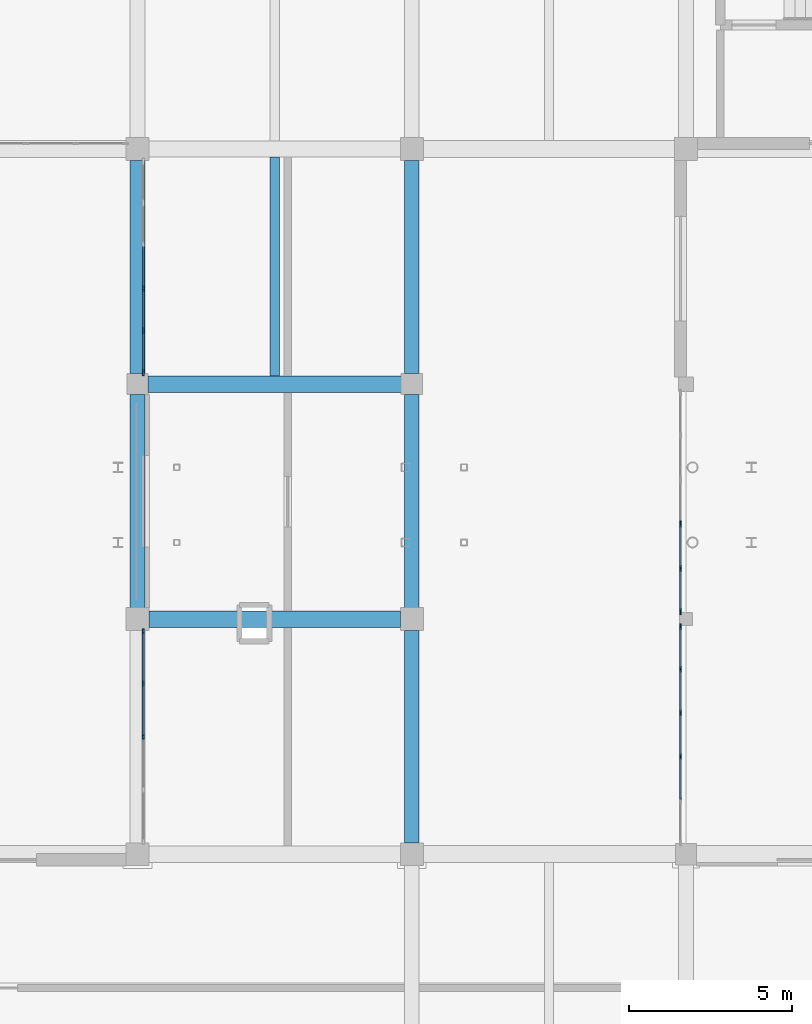
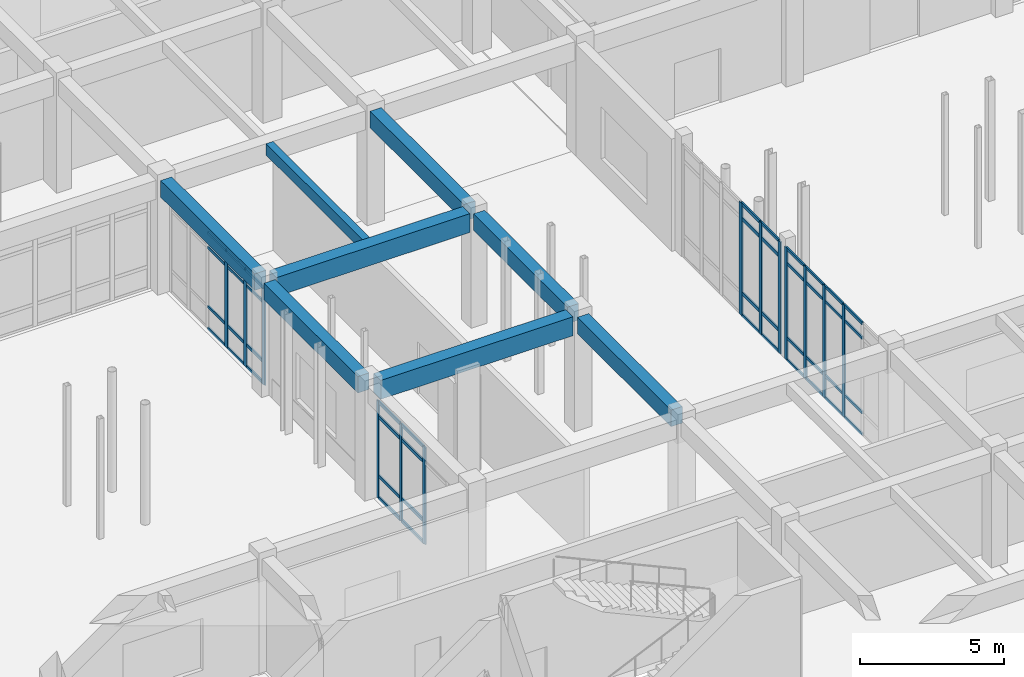
# One storey, part 55 of 121: 57 members, 8 beams, 4 elements without a shape of their own.
"""IFC4 building model written with IfcOpenShell, lengths in metres."""

from ifc_helpers import new_model, si_unit, direction, frame, origin, origin_2d, place, context, subcontext, project, spatial, rectangle, extrude, material, material_profile, profile_set, type_object, element, aggregate, save


model = new_model("IFC4")

# Units and contexts
model_context = context("Model", 3, precision=1e-05, world=origin(), true_north=direction((0.0, 1.0)))
body_context = subcontext(model_context, "Body", "Model", "MODEL_VIEW")
ifc_project = project(units=[si_unit("LENGTHUNIT", "METRE"), si_unit("AREAUNIT", "SQUARE_METRE"), si_unit("VOLUMEUNIT", "CUBIC_METRE"), si_unit("PLANEANGLEUNIT", "RADIAN"), si_unit("MASSUNIT", "GRAM", prefix="KILO")], contexts=[model_context])

# Site, building, storey
site_placement = place(None, origin())
site = spatial("IfcSite", under=ifc_project, at=site_placement, CompositionType="ELEMENT")
building_placement = place(site_placement, origin())
building = spatial("IfcBuilding", under=site, at=building_placement, Name="Malvenik Polytechnic", CompositionType="ELEMENT")
storey_placement = place(building_placement, origin())
storey = spatial("IfcBuildingStorey", under=building, at=storey_placement, Name="L00", CompositionType="ELEMENT", Elevation=0.0)

# Curtain wall, members
ifc_material_1 = material(Name="Anodised aluminium 6060-T6", Category="aluminium")
curtain_wall_type_1 = type_object("IfcCurtainWallType", Name="ARC-CW-CW-04", PredefinedType="NOTDEFINED", material=ifc_material_1)
curtain_wall_1_placement = place(storey_placement, origin())
curtain_wall_1 = element("IfcCurtainWall", 1, at=curtain_wall_1_placement, inside=storey, type_object=curtain_wall_type_1, Name="Unitised Curtain Wall CW-04 L00 #8", PredefinedType="NOTDEFINED")
ifc_material_2 = material(Name="Anodised aluminium", Category="aluminium")
ifc_material_profile_1 = material_profile(ifc_material_2, rectangle(XDim=0.06005859375, YDim=0.159912109375, at=origin_2d()), Name="ALU MULLION 60x160")
ifc_profile_set_1 = profile_set([ifc_material_profile_1], Name="Anodised aluminium")
member_type_1 = type_object("IfcMemberType", Name="ARC-CWM-160", PredefinedType="MULLION", material=ifc_profile_set_1)
member_1_placement = place(storey_placement, frame((75.77001953125, 97.199951171875, 0.0), z_axis=(0.0, 0.0, 1.0), x_axis=(-1.0, 0.0, 0.0)))
member_1 = element("IfcMember", 2, at=member_1_placement, type_object=member_type_1, Name="CW-04 mullion 3", PredefinedType="MULLION", context=body_context, shape_type="SweptSolid", body=[
    extrude(rectangle(XDim=0.06005859375, YDim=0.159912109375, at=origin_2d()), origin(), (0.0, 0.0, 1.0), 4.110107421875),
])
member_2_placement = place(storey_placement, frame((75.77001953125, 98.825927734375, 0.0), z_axis=(0.0, 0.0, 1.0), x_axis=(-1.0, 0.0, 0.0)))
member_2 = element("IfcMember", 3, at=member_2_placement, type_object=member_type_1, Name="CW-04 mullion 4", PredefinedType="MULLION", context=body_context, shape_type="SweptSolid", body=[
    extrude(rectangle(XDim=0.06005859375, YDim=0.159912109375, at=origin_2d()), origin(), (0.0, 0.0, 1.0), 4.110107421875),
])
member_3_placement = place(storey_placement, frame((75.77001953125, 100.422119140625, 0.0), z_axis=(0.0, 0.0, 1.0), x_axis=(-1.0, 0.0, 0.0)))
member_3 = element("IfcMember", 4, at=member_3_placement, type_object=member_type_1, Name="CW-04 mullion 5", PredefinedType="MULLION", context=body_context, shape_type="SweptSolid", body=[
    extrude(rectangle(XDim=0.06005859375, YDim=0.159912109375, at=origin_2d()), origin(), (0.0, 0.0, 1.0), 4.110107421875),
])

curtain_wall_type_2 = type_object("IfcCurtainWallType", Name="ARC-CW-CW-13", PredefinedType="NOTDEFINED", material=ifc_material_1)
curtain_wall_2_placement = place(storey_placement, origin())
curtain_wall_2 = element("IfcCurtainWall", 5, at=curtain_wall_2_placement, inside=storey, type_object=curtain_wall_type_2, Name="Unitised Curtain Wall CW-13 L00 #13", PredefinedType="NOTDEFINED")
ifc_material_profile_2 = material_profile(ifc_material_2, rectangle(XDim=0.06005859375, YDim=0.179931640625, at=origin_2d()), Name="ALU MULLION 60x180")
ifc_profile_set_2 = profile_set([ifc_material_profile_2], Name="Anodised aluminium")
member_type_2 = type_object("IfcMemberType", Name="ARC-CWM-180", PredefinedType="MULLION", material=ifc_profile_set_2)
member_4_placement = place(storey_placement, frame((92.22998046875, 100.572021484375, 0.0), z_axis=(0.0, 0.0, 1.0), x_axis=(1.0, 0.0, 0.0)))
member_4 = element("IfcMember", 6, at=member_4_placement, type_object=member_type_2, Name="CW-13 mullion 1", PredefinedType="MULLION", context=body_context, shape_type="SweptSolid", body=[
    extrude(rectangle(XDim=0.06005859375, YDim=0.179931640625, at=origin_2d()), origin(), (0.0, 0.0, 1.0), 4.760009765625),
])
member_5_placement = place(storey_placement, frame((92.22998046875, 99.26611328125, 0.0), z_axis=(0.0, 0.0, 1.0), x_axis=(1.0, 0.0, 0.0)))
member_5 = element("IfcMember", 7, at=member_5_placement, type_object=member_type_2, Name="CW-13 mullion 2", PredefinedType="MULLION", context=body_context, shape_type="SweptSolid", body=[
    extrude(rectangle(XDim=0.06005859375, YDim=0.179931640625, at=origin_2d()), origin(), (0.0, 0.0, 1.0), 4.760009765625),
])
member_6_placement = place(storey_placement, frame((92.22998046875, 97.930419921875, 0.0), z_axis=(0.0, 0.0, 1.0), x_axis=(1.0, 0.0, 0.0)))
member_6 = element("IfcMember", 8, at=member_6_placement, type_object=member_type_2, Name="CW-13 mullion 3", PredefinedType="MULLION", context=body_context, shape_type="SweptSolid", body=[
    extrude(rectangle(XDim=0.06005859375, YDim=0.179931640625, at=origin_2d()), origin(), (0.0, 0.0, 1.0), 4.760009765625),
])
member_7_placement = place(storey_placement, frame((92.22998046875, 96.594482421875, 0.0), z_axis=(0.0, 0.0, 1.0), x_axis=(1.0, 0.0, 0.0)))
member_7 = element("IfcMember", 9, at=member_7_placement, type_object=member_type_2, Name="CW-13 mullion 4", PredefinedType="MULLION", context=body_context, shape_type="SweptSolid", body=[
    extrude(rectangle(XDim=0.06005859375, YDim=0.179931640625, at=origin_2d()), origin(), (0.0, 0.0, 1.0), 4.760009765625),
])

curtain_wall_3_placement = place(storey_placement, origin())
curtain_wall_3 = element("IfcCurtainWall", 10, at=curtain_wall_3_placement, inside=storey, type_object=curtain_wall_type_1, Name="Unitised Curtain Wall CW-04 L00 #9", PredefinedType="NOTDEFINED")
ifc_material_profile_3 = material_profile(ifc_material_2, rectangle(XDim=0.06005859375, YDim=0.199951171875, at=origin_2d()), Name="ALU MULLION 60x200")
ifc_profile_set_3 = profile_set([ifc_material_profile_3], Name="Anodised aluminium")
member_type_3 = type_object("IfcMemberType", Name="ARC-CWM-200", PredefinedType="MULLION", material=ifc_profile_set_3)
member_8_placement = place(storey_placement, frame((75.77001953125, 108.35302734375, 0.0), z_axis=(0.0, 0.0, 1.0), x_axis=(-1.0, 0.0, 0.0)))
member_8 = element("IfcMember", 11, at=member_8_placement, type_object=member_type_3, Name="CW-04 mullion 1", PredefinedType="MULLION", context=body_context, shape_type="SweptSolid", body=[
    extrude(rectangle(XDim=0.06005859375, YDim=0.199951171875, at=origin_2d()), origin(), (0.0, 0.0, 1.0), 4.110107421875),
])
member_9_placement = place(storey_placement, frame((75.77001953125, 109.62890625, 0.0), z_axis=(0.0, 0.0, 1.0), x_axis=(-1.0, 0.0, 0.0)))
member_9 = element("IfcMember", 12, at=member_9_placement, type_object=member_type_3, Name="CW-04 mullion 2", PredefinedType="MULLION", context=body_context, shape_type="SweptSolid", body=[
    extrude(rectangle(XDim=0.06005859375, YDim=0.199951171875, at=origin_2d()), origin(), (0.0, 0.0, 1.0), 4.110107421875),
])
member_10_placement = place(storey_placement, frame((75.77001953125, 110.9345703125, 0.0), z_axis=(0.0, 0.0, 1.0), x_axis=(-1.0, 0.0, 0.0)))
member_10 = element("IfcMember", 13, at=member_10_placement, type_object=member_type_3, Name="CW-04 mullion 3", PredefinedType="MULLION", context=body_context, shape_type="SweptSolid", body=[
    extrude(rectangle(XDim=0.06005859375, YDim=0.199951171875, at=origin_2d()), origin(), (0.0, 0.0, 1.0), 4.110107421875),
])

curtain_wall_4_placement = place(storey_placement, origin())
curtain_wall_4 = element("IfcCurtainWall", 14, at=curtain_wall_4_placement, inside=storey, type_object=curtain_wall_type_2, Name="Unitised Curtain Wall CW-13 L00 #12", PredefinedType="NOTDEFINED")
member_11_placement = place(storey_placement, frame((92.22998046875, 103.709716796875, 0.0), z_axis=(0.0, 0.0, 1.0), x_axis=(1.0, 0.0, 0.0)))
member_11 = element("IfcMember", 15, at=member_11_placement, type_object=member_type_3, Name="CW-13 mullion 4", PredefinedType="MULLION", context=body_context, shape_type="SweptSolid", body=[
    extrude(rectangle(XDim=0.06005859375, YDim=0.199951171875, at=origin_2d()), origin(), (0.0, 0.0, 1.0), 4.760009765625),
])
member_12_placement = place(storey_placement, frame((92.22998046875, 102.353759765625, 0.0), z_axis=(0.0, 0.0, 1.0), x_axis=(1.0, 0.0, 0.0)))
member_12 = element("IfcMember", 16, at=member_12_placement, type_object=member_type_3, Name="CW-13 mullion 5", PredefinedType="MULLION", context=body_context, shape_type="SweptSolid", body=[
    extrude(rectangle(XDim=0.06005859375, YDim=0.199951171875, at=origin_2d()), origin(), (0.0, 0.0, 1.0), 4.760009765625),
])
member_13_placement = place(storey_placement, frame((92.22998046875, 101.028076171875, 0.0), z_axis=(0.0, 0.0, 1.0), x_axis=(1.0, 0.0, 0.0)))
member_13 = element("IfcMember", 17, at=member_13_placement, type_object=member_type_3, Name="CW-13 mullion 6", PredefinedType="MULLION", context=body_context, shape_type="SweptSolid", body=[
    extrude(rectangle(XDim=0.06005859375, YDim=0.199951171875, at=origin_2d()), origin(), (0.0, 0.0, 1.0), 4.760009765625),
])

# Member
ifc_material_profile_4 = material_profile(ifc_material_2, rectangle(XDim=0.06005859375, YDim=0.1201171875, at=origin_2d()), Name="ALU TRANSOM 60x120")
ifc_profile_set_4 = profile_set([ifc_material_profile_4], Name="Anodised aluminium")
member_type_4 = type_object("IfcMemberType", Name="ARC-CWT-120", PredefinedType="USERDEFINED", material=ifc_profile_set_4)
member_14_placement = place(storey_placement, frame((75.77001953125, 108.383056640625, 0.030029296875), z_axis=(0.0, 1.0, 0.0), x_axis=(-1.0, 0.0, 0.0)))
member_14 = element("IfcMember", 18, at=member_14_placement, type_object=member_type_4, Name="CW-04 transom 1.1", ObjectType="TRANSOM", PredefinedType="USERDEFINED", context=body_context, shape_type="SweptSolid", body=[
    extrude(rectangle(XDim=0.06005859375, YDim=0.1201171875, at=origin_2d()), origin(), (0.0, 0.0, 1.0), 1.2158203125),
])

member_15_placement = place(storey_placement, frame((75.77001953125, 108.383056640625, 0.949951171875), z_axis=(0.0, 1.0, 0.0), x_axis=(-1.0, 0.0, 0.0)))
member_15 = element("IfcMember", 19, at=member_15_placement, type_object=member_type_4, Name="CW-04 transom 1.2", ObjectType="TRANSOM", PredefinedType="USERDEFINED", context=body_context, shape_type="SweptSolid", body=[
    extrude(rectangle(XDim=0.06005859375, YDim=0.1201171875, at=origin_2d()), origin(), (0.0, 0.0, 1.0), 1.2158203125),
])

member_16_placement = place(storey_placement, frame((75.77001953125, 108.383056640625, 3.4599609375), z_axis=(0.0, 1.0, 0.0), x_axis=(-1.0, 0.0, 0.0)))
member_16 = element("IfcMember", 20, at=member_16_placement, type_object=member_type_4, Name="CW-04 transom 1.3", ObjectType="TRANSOM", PredefinedType="USERDEFINED", context=body_context, shape_type="SweptSolid", body=[
    extrude(rectangle(XDim=0.06005859375, YDim=0.1201171875, at=origin_2d()), origin(), (0.0, 0.0, 1.0), 1.2158203125),
])

member_17_placement = place(storey_placement, frame((75.77001953125, 108.383056640625, 4.080078125), z_axis=(0.0, 1.0, 0.0), x_axis=(-1.0, 0.0, 0.0)))
member_17 = element("IfcMember", 21, at=member_17_placement, type_object=member_type_4, Name="CW-04 transom 1.4", ObjectType="TRANSOM", PredefinedType="USERDEFINED", context=body_context, shape_type="SweptSolid", body=[
    extrude(rectangle(XDim=0.06005859375, YDim=0.1201171875, at=origin_2d()), origin(), (0.0, 0.0, 1.0), 1.2158203125),
])

member_18_placement = place(storey_placement, frame((75.77001953125, 109.65869140625, 0.030029296875), z_axis=(0.0, 1.0, 0.0), x_axis=(-1.0, 0.0, 0.0)))
member_18 = element("IfcMember", 22, at=member_18_placement, type_object=member_type_4, Name="CW-04 transom 2.1", ObjectType="TRANSOM", PredefinedType="USERDEFINED", context=body_context, shape_type="SweptSolid", body=[
    extrude(rectangle(XDim=0.06005859375, YDim=0.1201171875, at=origin_2d()), origin(), (0.0, 0.0, 1.0), 1.245849609375),
])

member_19_placement = place(storey_placement, frame((75.77001953125, 109.65869140625, 0.949951171875), z_axis=(0.0, 1.0, 0.0), x_axis=(-1.0, 0.0, 0.0)))
member_19 = element("IfcMember", 23, at=member_19_placement, type_object=member_type_4, Name="CW-04 transom 2.2", ObjectType="TRANSOM", PredefinedType="USERDEFINED", context=body_context, shape_type="SweptSolid", body=[
    extrude(rectangle(XDim=0.06005859375, YDim=0.1201171875, at=origin_2d()), origin(), (0.0, 0.0, 1.0), 1.245849609375),
])

member_20_placement = place(storey_placement, frame((75.77001953125, 109.65869140625, 3.4599609375), z_axis=(0.0, 1.0, 0.0), x_axis=(-1.0, 0.0, 0.0)))
member_20 = element("IfcMember", 24, at=member_20_placement, type_object=member_type_4, Name="CW-04 transom 2.3", ObjectType="TRANSOM", PredefinedType="USERDEFINED", context=body_context, shape_type="SweptSolid", body=[
    extrude(rectangle(XDim=0.06005859375, YDim=0.1201171875, at=origin_2d()), origin(), (0.0, 0.0, 1.0), 1.245849609375),
])

member_21_placement = place(storey_placement, frame((75.77001953125, 109.65869140625, 4.080078125), z_axis=(0.0, 1.0, 0.0), x_axis=(-1.0, 0.0, 0.0)))
member_21 = element("IfcMember", 25, at=member_21_placement, type_object=member_type_4, Name="CW-04 transom 2.4", ObjectType="TRANSOM", PredefinedType="USERDEFINED", context=body_context, shape_type="SweptSolid", body=[
    extrude(rectangle(XDim=0.06005859375, YDim=0.1201171875, at=origin_2d()), origin(), (0.0, 0.0, 1.0), 1.245849609375),
])

member_22_placement = place(storey_placement, frame((75.77001953125, 110.964599609375, 0.030029296875), z_axis=(0.0, 1.0, 0.0), x_axis=(-1.0, 0.0, 0.0)))
member_22 = element("IfcMember", 26, at=member_22_placement, type_object=member_type_4, Name="CW-04 transom 3.1", ObjectType="TRANSOM", PredefinedType="USERDEFINED", context=body_context, shape_type="SweptSolid", body=[
    extrude(rectangle(XDim=0.06005859375, YDim=0.1201171875, at=origin_2d()), origin(), (0.0, 0.0, 1.0), 1.245849609375),
])

member_23_placement = place(storey_placement, frame((75.77001953125, 110.964599609375, 0.949951171875), z_axis=(0.0, 1.0, 0.0), x_axis=(-1.0, 0.0, 0.0)))
member_23 = element("IfcMember", 27, at=member_23_placement, type_object=member_type_4, Name="CW-04 transom 3.2", ObjectType="TRANSOM", PredefinedType="USERDEFINED", context=body_context, shape_type="SweptSolid", body=[
    extrude(rectangle(XDim=0.06005859375, YDim=0.1201171875, at=origin_2d()), origin(), (0.0, 0.0, 1.0), 1.245849609375),
])

member_24_placement = place(storey_placement, frame((75.77001953125, 110.964599609375, 3.4599609375), z_axis=(0.0, 1.0, 0.0), x_axis=(-1.0, 0.0, 0.0)))
member_24 = element("IfcMember", 28, at=member_24_placement, type_object=member_type_4, Name="CW-04 transom 3.3", ObjectType="TRANSOM", PredefinedType="USERDEFINED", context=body_context, shape_type="SweptSolid", body=[
    extrude(rectangle(XDim=0.06005859375, YDim=0.1201171875, at=origin_2d()), origin(), (0.0, 0.0, 1.0), 1.245849609375),
])

member_25_placement = place(storey_placement, frame((75.77001953125, 110.964599609375, 4.080078125), z_axis=(0.0, 1.0, 0.0), x_axis=(-1.0, 0.0, 0.0)))
member_25 = element("IfcMember", 29, at=member_25_placement, type_object=member_type_4, Name="CW-04 transom 3.4", ObjectType="TRANSOM", PredefinedType="USERDEFINED", context=body_context, shape_type="SweptSolid", body=[
    extrude(rectangle(XDim=0.06005859375, YDim=0.1201171875, at=origin_2d()), origin(), (0.0, 0.0, 1.0), 1.245849609375),
])

aggregate(curtain_wall_3, [member_8, member_9, member_10, member_14, member_15, member_16, member_17, member_18, member_19, member_20, member_21, member_22, member_23, member_24, member_25])

member_26_placement = place(storey_placement, frame((92.22998046875, 100.5419921875, 0.030029296875), z_axis=(0.0, -1.0, 0.0), x_axis=(1.0, 0.0, 0.0)))
member_26 = element("IfcMember", 30, at=member_26_placement, type_object=member_type_4, Name="CW-13 transom 1.1", ObjectType="TRANSOM", PredefinedType="USERDEFINED", context=body_context, shape_type="SweptSolid", body=[
    extrude(rectangle(XDim=0.06005859375, YDim=0.1201171875, at=origin_2d()), origin(), (0.0, 0.0, 1.0), 1.245849609375),
])

member_27_placement = place(storey_placement, frame((92.22998046875, 100.5419921875, 0.949951171875), z_axis=(0.0, -1.0, 0.0), x_axis=(1.0, 0.0, 0.0)))
member_27 = element("IfcMember", 31, at=member_27_placement, type_object=member_type_4, Name="CW-13 transom 1.2", ObjectType="TRANSOM", PredefinedType="USERDEFINED", context=body_context, shape_type="SweptSolid", body=[
    extrude(rectangle(XDim=0.06005859375, YDim=0.1201171875, at=origin_2d()), origin(), (0.0, 0.0, 1.0), 1.245849609375),
])

member_28_placement = place(storey_placement, frame((92.22998046875, 100.5419921875, 4.110107421875), z_axis=(0.0, -1.0, 0.0), x_axis=(1.0, 0.0, 0.0)))
member_28 = element("IfcMember", 32, at=member_28_placement, type_object=member_type_4, Name="CW-13 transom 1.3", ObjectType="TRANSOM", PredefinedType="USERDEFINED", context=body_context, shape_type="SweptSolid", body=[
    extrude(rectangle(XDim=0.06005859375, YDim=0.1201171875, at=origin_2d()), origin(), (0.0, 0.0, 1.0), 1.245849609375),
])

member_29_placement = place(storey_placement, frame((92.22998046875, 100.5419921875, 4.72998046875), z_axis=(0.0, -1.0, 0.0), x_axis=(1.0, 0.0, 0.0)))
member_29 = element("IfcMember", 33, at=member_29_placement, type_object=member_type_4, Name="CW-13 transom 1.4", ObjectType="TRANSOM", PredefinedType="USERDEFINED", context=body_context, shape_type="SweptSolid", body=[
    extrude(rectangle(XDim=0.06005859375, YDim=0.1201171875, at=origin_2d()), origin(), (0.0, 0.0, 1.0), 1.245849609375),
])

member_30_placement = place(storey_placement, frame((92.22998046875, 99.236083984375, 0.030029296875), z_axis=(0.0, -1.0, 0.0), x_axis=(1.0, 0.0, 0.0)))
member_30 = element("IfcMember", 34, at=member_30_placement, type_object=member_type_4, Name="CW-13 transom 2.1", ObjectType="TRANSOM", PredefinedType="USERDEFINED", context=body_context, shape_type="SweptSolid", body=[
    extrude(rectangle(XDim=0.06005859375, YDim=0.1201171875, at=origin_2d()), origin(), (0.0, 0.0, 1.0), 1.275634765625),
])

member_31_placement = place(storey_placement, frame((92.22998046875, 99.236083984375, 0.949951171875), z_axis=(0.0, -1.0, 0.0), x_axis=(1.0, 0.0, 0.0)))
member_31 = element("IfcMember", 35, at=member_31_placement, type_object=member_type_4, Name="CW-13 transom 2.2", ObjectType="TRANSOM", PredefinedType="USERDEFINED", context=body_context, shape_type="SweptSolid", body=[
    extrude(rectangle(XDim=0.06005859375, YDim=0.1201171875, at=origin_2d()), origin(), (0.0, 0.0, 1.0), 1.275634765625),
])

member_32_placement = place(storey_placement, frame((92.22998046875, 99.236083984375, 4.110107421875), z_axis=(0.0, -1.0, 0.0), x_axis=(1.0, 0.0, 0.0)))
member_32 = element("IfcMember", 36, at=member_32_placement, type_object=member_type_4, Name="CW-13 transom 2.3", ObjectType="TRANSOM", PredefinedType="USERDEFINED", context=body_context, shape_type="SweptSolid", body=[
    extrude(rectangle(XDim=0.06005859375, YDim=0.1201171875, at=origin_2d()), origin(), (0.0, 0.0, 1.0), 1.275634765625),
])

member_33_placement = place(storey_placement, frame((92.22998046875, 99.236083984375, 4.72998046875), z_axis=(0.0, -1.0, 0.0), x_axis=(1.0, 0.0, 0.0)))
member_33 = element("IfcMember", 37, at=member_33_placement, type_object=member_type_4, Name="CW-13 transom 2.4", ObjectType="TRANSOM", PredefinedType="USERDEFINED", context=body_context, shape_type="SweptSolid", body=[
    extrude(rectangle(XDim=0.06005859375, YDim=0.1201171875, at=origin_2d()), origin(), (0.0, 0.0, 1.0), 1.275634765625),
])

member_34_placement = place(storey_placement, frame((92.22998046875, 97.900390625, 0.030029296875), z_axis=(0.0, -1.0, 0.0), x_axis=(1.0, 0.0, 0.0)))
member_34 = element("IfcMember", 38, at=member_34_placement, type_object=member_type_4, Name="CW-13 transom 3.1", ObjectType="TRANSOM", PredefinedType="USERDEFINED", context=body_context, shape_type="SweptSolid", body=[
    extrude(rectangle(XDim=0.06005859375, YDim=0.1201171875, at=origin_2d()), origin(), (0.0, 0.0, 1.0), 1.27587890625),
])

member_35_placement = place(storey_placement, frame((92.22998046875, 97.900390625, 0.949951171875), z_axis=(0.0, -1.0, 0.0), x_axis=(1.0, 0.0, 0.0)))
member_35 = element("IfcMember", 39, at=member_35_placement, type_object=member_type_4, Name="CW-13 transom 3.2", ObjectType="TRANSOM", PredefinedType="USERDEFINED", context=body_context, shape_type="SweptSolid", body=[
    extrude(rectangle(XDim=0.06005859375, YDim=0.1201171875, at=origin_2d()), origin(), (0.0, 0.0, 1.0), 1.27587890625),
])

member_36_placement = place(storey_placement, frame((92.22998046875, 97.900390625, 4.110107421875), z_axis=(0.0, -1.0, 0.0), x_axis=(1.0, 0.0, 0.0)))
member_36 = element("IfcMember", 40, at=member_36_placement, type_object=member_type_4, Name="CW-13 transom 3.3", ObjectType="TRANSOM", PredefinedType="USERDEFINED", context=body_context, shape_type="SweptSolid", body=[
    extrude(rectangle(XDim=0.06005859375, YDim=0.1201171875, at=origin_2d()), origin(), (0.0, 0.0, 1.0), 1.27587890625),
])

member_37_placement = place(storey_placement, frame((92.22998046875, 97.900390625, 4.72998046875), z_axis=(0.0, -1.0, 0.0), x_axis=(1.0, 0.0, 0.0)))
member_37 = element("IfcMember", 41, at=member_37_placement, type_object=member_type_4, Name="CW-13 transom 3.4", ObjectType="TRANSOM", PredefinedType="USERDEFINED", context=body_context, shape_type="SweptSolid", body=[
    extrude(rectangle(XDim=0.06005859375, YDim=0.1201171875, at=origin_2d()), origin(), (0.0, 0.0, 1.0), 1.27587890625),
])

member_38_placement = place(storey_placement, frame((92.22998046875, 96.564697265625, 0.030029296875), z_axis=(0.0, -1.0, 0.0), x_axis=(1.0, 0.0, 0.0)))
member_38 = element("IfcMember", 42, at=member_38_placement, type_object=member_type_4, Name="CW-13 transom 4.1", ObjectType="TRANSOM", PredefinedType="USERDEFINED", context=body_context, shape_type="SweptSolid", body=[
    extrude(rectangle(XDim=0.06005859375, YDim=0.1201171875, at=origin_2d()), origin(), (0.0, 0.0, 1.0), 1.27587890625),
])

member_39_placement = place(storey_placement, frame((92.22998046875, 96.564697265625, 0.949951171875), z_axis=(0.0, -1.0, 0.0), x_axis=(1.0, 0.0, 0.0)))
member_39 = element("IfcMember", 43, at=member_39_placement, type_object=member_type_4, Name="CW-13 transom 4.2", ObjectType="TRANSOM", PredefinedType="USERDEFINED", context=body_context, shape_type="SweptSolid", body=[
    extrude(rectangle(XDim=0.06005859375, YDim=0.1201171875, at=origin_2d()), origin(), (0.0, 0.0, 1.0), 1.27587890625),
])

member_40_placement = place(storey_placement, frame((92.22998046875, 96.564697265625, 4.110107421875), z_axis=(0.0, -1.0, 0.0), x_axis=(1.0, 0.0, 0.0)))
member_40 = element("IfcMember", 44, at=member_40_placement, type_object=member_type_4, Name="CW-13 transom 4.3", ObjectType="TRANSOM", PredefinedType="USERDEFINED", context=body_context, shape_type="SweptSolid", body=[
    extrude(rectangle(XDim=0.06005859375, YDim=0.1201171875, at=origin_2d()), origin(), (0.0, 0.0, 1.0), 1.27587890625),
])

member_41_placement = place(storey_placement, frame((92.22998046875, 96.564697265625, 4.72998046875), z_axis=(0.0, -1.0, 0.0), x_axis=(1.0, 0.0, 0.0)))
member_41 = element("IfcMember", 45, at=member_41_placement, type_object=member_type_4, Name="CW-13 transom 4.4", ObjectType="TRANSOM", PredefinedType="USERDEFINED", context=body_context, shape_type="SweptSolid", body=[
    extrude(rectangle(XDim=0.06005859375, YDim=0.1201171875, at=origin_2d()), origin(), (0.0, 0.0, 1.0), 1.27587890625),
])

aggregate(curtain_wall_2, [member_4, member_5, member_6, member_7, member_26, member_27, member_28, member_29, member_30, member_31, member_32, member_33, member_34, member_35, member_36, member_37, member_38, member_39, member_40, member_41])

ifc_material_profile_5 = material_profile(ifc_material_2, rectangle(XDim=0.06005859375, YDim=0.139892578125, at=origin_2d()), Name="ALU TRANSOM 60x140")
ifc_profile_set_5 = profile_set([ifc_material_profile_5], Name="Anodised aluminium")
member_type_5 = type_object("IfcMemberType", Name="ARC-CWT-140", PredefinedType="USERDEFINED", material=ifc_profile_set_5)
member_42_placement = place(storey_placement, frame((75.77001953125, 97.22998046875, 0.030029296875), z_axis=(0.0, 1.0, 0.0), x_axis=(-1.0, 0.0, 0.0)))
member_42 = element("IfcMember", 46, at=member_42_placement, type_object=member_type_5, Name="CW-04 transom 3.1", ObjectType="TRANSOM", PredefinedType="USERDEFINED", context=body_context, shape_type="SweptSolid", body=[
    extrude(rectangle(XDim=0.06005859375, YDim=0.139892578125, at=origin_2d()), origin(), (0.0, 0.0, 1.0), 1.56591796875),
])

member_43_placement = place(storey_placement, frame((75.77001953125, 97.22998046875, 0.949951171875), z_axis=(0.0, 1.0, 0.0), x_axis=(-1.0, 0.0, 0.0)))
member_43 = element("IfcMember", 47, at=member_43_placement, type_object=member_type_5, Name="CW-04 transom 3.2", ObjectType="TRANSOM", PredefinedType="USERDEFINED", context=body_context, shape_type="SweptSolid", body=[
    extrude(rectangle(XDim=0.06005859375, YDim=0.139892578125, at=origin_2d()), origin(), (0.0, 0.0, 1.0), 1.56591796875),
])

member_44_placement = place(storey_placement, frame((75.77001953125, 97.22998046875, 3.4599609375), z_axis=(0.0, 1.0, 0.0), x_axis=(-1.0, 0.0, 0.0)))
member_44 = element("IfcMember", 48, at=member_44_placement, type_object=member_type_5, Name="CW-04 transom 3.3", ObjectType="TRANSOM", PredefinedType="USERDEFINED", context=body_context, shape_type="SweptSolid", body=[
    extrude(rectangle(XDim=0.06005859375, YDim=0.139892578125, at=origin_2d()), origin(), (0.0, 0.0, 1.0), 1.56591796875),
])

member_45_placement = place(storey_placement, frame((75.77001953125, 97.22998046875, 4.080078125), z_axis=(0.0, 1.0, 0.0), x_axis=(-1.0, 0.0, 0.0)))
member_45 = element("IfcMember", 49, at=member_45_placement, type_object=member_type_5, Name="CW-04 transom 3.4", ObjectType="TRANSOM", PredefinedType="USERDEFINED", context=body_context, shape_type="SweptSolid", body=[
    extrude(rectangle(XDim=0.06005859375, YDim=0.139892578125, at=origin_2d()), origin(), (0.0, 0.0, 1.0), 1.56591796875),
])

member_46_placement = place(storey_placement, frame((75.77001953125, 98.85595703125, 0.030029296875), z_axis=(0.0, 1.0, 0.0), x_axis=(-1.0, 0.0, 0.0)))
member_46 = element("IfcMember", 50, at=member_46_placement, type_object=member_type_5, Name="CW-04 transom 4.1", ObjectType="TRANSOM", PredefinedType="USERDEFINED", context=body_context, shape_type="SweptSolid", body=[
    extrude(rectangle(XDim=0.06005859375, YDim=0.139892578125, at=origin_2d()), origin(), (0.0, 0.0, 1.0), 1.5361328125),
])

member_47_placement = place(storey_placement, frame((75.77001953125, 98.85595703125, 0.949951171875), z_axis=(0.0, 1.0, 0.0), x_axis=(-1.0, 0.0, 0.0)))
member_47 = element("IfcMember", 51, at=member_47_placement, type_object=member_type_5, Name="CW-04 transom 4.2", ObjectType="TRANSOM", PredefinedType="USERDEFINED", context=body_context, shape_type="SweptSolid", body=[
    extrude(rectangle(XDim=0.06005859375, YDim=0.139892578125, at=origin_2d()), origin(), (0.0, 0.0, 1.0), 1.5361328125),
])

member_48_placement = place(storey_placement, frame((75.77001953125, 98.85595703125, 3.4599609375), z_axis=(0.0, 1.0, 0.0), x_axis=(-1.0, 0.0, 0.0)))
member_48 = element("IfcMember", 52, at=member_48_placement, type_object=member_type_5, Name="CW-04 transom 4.3", ObjectType="TRANSOM", PredefinedType="USERDEFINED", context=body_context, shape_type="SweptSolid", body=[
    extrude(rectangle(XDim=0.06005859375, YDim=0.139892578125, at=origin_2d()), origin(), (0.0, 0.0, 1.0), 1.5361328125),
])

member_49_placement = place(storey_placement, frame((75.77001953125, 98.85595703125, 4.080078125), z_axis=(0.0, 1.0, 0.0), x_axis=(-1.0, 0.0, 0.0)))
member_49 = element("IfcMember", 53, at=member_49_placement, type_object=member_type_5, Name="CW-04 transom 4.4", ObjectType="TRANSOM", PredefinedType="USERDEFINED", context=body_context, shape_type="SweptSolid", body=[
    extrude(rectangle(XDim=0.06005859375, YDim=0.139892578125, at=origin_2d()), origin(), (0.0, 0.0, 1.0), 1.5361328125),
])

aggregate(curtain_wall_1, [member_1, member_2, member_3, member_42, member_43, member_44, member_45, member_46, member_47, member_48, member_49])

member_50_placement = place(storey_placement, frame((92.22998046875, 103.6796875, 0.030029296875), z_axis=(0.0, -1.0, 0.0), x_axis=(1.0, 0.0, 0.0)))
member_50 = element("IfcMember", 54, at=member_50_placement, type_object=member_type_5, Name="CW-13 transom 4.1", ObjectType="TRANSOM", PredefinedType="USERDEFINED", context=body_context, shape_type="SweptSolid", body=[
    extrude(rectangle(XDim=0.06005859375, YDim=0.139892578125, at=origin_2d()), origin(), (0.0, 0.0, 1.0), 1.2958984375),
])

member_51_placement = place(storey_placement, frame((92.22998046875, 103.6796875, 0.949951171875), z_axis=(0.0, -1.0, 0.0), x_axis=(1.0, 0.0, 0.0)))
member_51 = element("IfcMember", 55, at=member_51_placement, type_object=member_type_5, Name="CW-13 transom 4.2", ObjectType="TRANSOM", PredefinedType="USERDEFINED", context=body_context, shape_type="SweptSolid", body=[
    extrude(rectangle(XDim=0.06005859375, YDim=0.139892578125, at=origin_2d()), origin(), (0.0, 0.0, 1.0), 1.2958984375),
])

member_52_placement = place(storey_placement, frame((92.22998046875, 103.6796875, 4.110107421875), z_axis=(0.0, -1.0, 0.0), x_axis=(1.0, 0.0, 0.0)))
member_52 = element("IfcMember", 56, at=member_52_placement, type_object=member_type_5, Name="CW-13 transom 4.3", ObjectType="TRANSOM", PredefinedType="USERDEFINED", context=body_context, shape_type="SweptSolid", body=[
    extrude(rectangle(XDim=0.06005859375, YDim=0.139892578125, at=origin_2d()), origin(), (0.0, 0.0, 1.0), 1.2958984375),
])

member_53_placement = place(storey_placement, frame((92.22998046875, 103.6796875, 4.72998046875), z_axis=(0.0, -1.0, 0.0), x_axis=(1.0, 0.0, 0.0)))
member_53 = element("IfcMember", 57, at=member_53_placement, type_object=member_type_5, Name="CW-13 transom 4.4", ObjectType="TRANSOM", PredefinedType="USERDEFINED", context=body_context, shape_type="SweptSolid", body=[
    extrude(rectangle(XDim=0.06005859375, YDim=0.139892578125, at=origin_2d()), origin(), (0.0, 0.0, 1.0), 1.2958984375),
])

member_54_placement = place(storey_placement, frame((92.22998046875, 102.32373046875, 0.030029296875), z_axis=(0.0, -1.0, 0.0), x_axis=(1.0, 0.0, 0.0)))
member_54 = element("IfcMember", 58, at=member_54_placement, type_object=member_type_5, Name="CW-13 transom 5.1", ObjectType="TRANSOM", PredefinedType="USERDEFINED", context=body_context, shape_type="SweptSolid", body=[
    extrude(rectangle(XDim=0.06005859375, YDim=0.139892578125, at=origin_2d()), origin(), (0.0, 0.0, 1.0), 1.265625),
])

member_55_placement = place(storey_placement, frame((92.22998046875, 102.32373046875, 0.949951171875), z_axis=(0.0, -1.0, 0.0), x_axis=(1.0, 0.0, 0.0)))
member_55 = element("IfcMember", 59, at=member_55_placement, type_object=member_type_5, Name="CW-13 transom 5.2", ObjectType="TRANSOM", PredefinedType="USERDEFINED", context=body_context, shape_type="SweptSolid", body=[
    extrude(rectangle(XDim=0.06005859375, YDim=0.139892578125, at=origin_2d()), origin(), (0.0, 0.0, 1.0), 1.265625),
])

member_56_placement = place(storey_placement, frame((92.22998046875, 102.32373046875, 4.110107421875), z_axis=(0.0, -1.0, 0.0), x_axis=(1.0, 0.0, 0.0)))
member_56 = element("IfcMember", 60, at=member_56_placement, type_object=member_type_5, Name="CW-13 transom 5.3", ObjectType="TRANSOM", PredefinedType="USERDEFINED", context=body_context, shape_type="SweptSolid", body=[
    extrude(rectangle(XDim=0.06005859375, YDim=0.139892578125, at=origin_2d()), origin(), (0.0, 0.0, 1.0), 1.265625),
])

member_57_placement = place(storey_placement, frame((92.22998046875, 102.32373046875, 4.72998046875), z_axis=(0.0, -1.0, 0.0), x_axis=(1.0, 0.0, 0.0)))
member_57 = element("IfcMember", 61, at=member_57_placement, type_object=member_type_5, Name="CW-13 transom 5.4", ObjectType="TRANSOM", PredefinedType="USERDEFINED", context=body_context, shape_type="SweptSolid", body=[
    extrude(rectangle(XDim=0.06005859375, YDim=0.139892578125, at=origin_2d()), origin(), (0.0, 0.0, 1.0), 1.265625),
])

aggregate(curtain_wall_4, [member_11, member_12, member_13, member_50, member_51, member_52, member_53, member_54, member_55, member_56, member_57])

# Beams
ifc_material_3 = material(Name="Concrete C35/45", Category="concrete")
ifc_material_profile_6 = material_profile(ifc_material_3, rectangle(XDim=0.5, YDim=0.800048828125, at=origin_2d()), Name="RC BM 500x800")
ifc_profile_set_6 = profile_set([ifc_material_profile_6], Name="Concrete C35/45")
beam_type_1 = type_object("IfcBeamType", Name="STR-BM-B-02", PredefinedType="BEAM", material=ifc_profile_set_6)
beam_1_placement = place(storey_placement, frame((75.947998046875, 100.800048828125, 4.419921875), z_axis=(1.0, 0.0, 0.0), x_axis=(0.0, 1.0, 0.0)))
element("IfcBeam", 62, at=beam_1_placement, inside=storey, type_object=beam_type_1, Name="Primary Beam B-02 L00 #656", PredefinedType="BEAM", context=body_context, shape_type="SweptSolid", body=[
    extrude(rectangle(XDim=0.5, YDim=0.800048828125, at=origin_2d()), origin(), (0.0, 0.0, 1.0), 7.7041015625),
])
beam_2_placement = place(storey_placement, frame((75.923095703125, 108.0, 4.419921875), z_axis=(1.0, 0.0, 0.0), x_axis=(0.0, 1.0, 0.0)))
element("IfcBeam", 63, at=beam_2_placement, inside=storey, type_object=beam_type_1, Name="Primary Beam B-02 L00 #664", PredefinedType="BEAM", context=body_context, shape_type="SweptSolid", body=[
    extrude(rectangle(XDim=0.5, YDim=0.800048828125, at=origin_2d()), origin(), (0.0, 0.0, 1.0), 7.75390625),
])
ifc_material_profile_7 = material_profile(ifc_material_3, rectangle(XDim=0.449951171875, YDim=0.699951171875, at=origin_2d()), Name="RC BM 450x700")
ifc_profile_set_7 = profile_set([ifc_material_profile_7], Name="Concrete C35/45")
beam_type_2 = type_object("IfcBeamType", Name="STR-BM-B-04", PredefinedType="BEAM", material=ifc_profile_set_7)
for number, where, z_axis, x_axis, name in (
    (64, (75.60009765625, 101.14794921875, 4.469970703125), (0.0, 1.0, 0.0), (-1.0, 0.0, 0.0), "Transverse Beam B-04 L00 #775"),
    (65, (75.60009765625, 108.322998046875, 4.469970703125), (0.0, 1.0, 0.0), (-1.0, 0.0, 0.0), "Transverse Beam B-04 L00 #776"),
):
    element("IfcBeam", number, at=place(storey_placement, frame(where, z_axis=z_axis, x_axis=x_axis)), inside=storey, type_object=beam_type_2, Name=name, PredefinedType="BEAM", context=body_context, shape_type="SweptSolid", body=[
        extrude(rectangle(XDim=0.449951171875, YDim=0.699951171875, at=origin_2d()), origin(), (0.0, 0.0, 1.0), 6.529052734375),
    ])
beam_3_placement = place(storey_placement, frame((84.0, 93.947998046875, 4.469970703125), z_axis=(0.0, 1.0, 0.0), x_axis=(-1.0, 0.0, 0.0)))
element("IfcBeam", 66, at=beam_3_placement, inside=storey, type_object=beam_type_2, Name="Transverse Beam B-04 L00 #789", PredefinedType="BEAM", context=body_context, shape_type="SweptSolid", body=[
    extrude(rectangle(XDim=0.449951171875, YDim=0.699951171875, at=origin_2d()), origin(), (0.0, 0.0, 1.0), 6.50390625),
])
for number, where, z_axis, x_axis, name in (
    (67, (84.0, 101.14794921875, 4.469970703125), (0.0, 1.0, 0.0), (-1.0, 0.0, 0.0), "Transverse Beam B-04 L00 #790"),
    (68, (84.0, 108.322998046875, 4.469970703125), (0.0, 1.0, 0.0), (-1.0, 0.0, 0.0), "Transverse Beam B-04 L00 #791"),
):
    element("IfcBeam", number, at=place(storey_placement, frame(where, z_axis=z_axis, x_axis=x_axis)), inside=storey, type_object=beam_type_2, Name=name, PredefinedType="BEAM", context=body_context, shape_type="SweptSolid", body=[
        extrude(rectangle(XDim=0.449951171875, YDim=0.699951171875, at=origin_2d()), origin(), (0.0, 0.0, 1.0), 6.529052734375),
    ])
ifc_material_4 = material(Name="Concrete C30/37", Category="concrete")
ifc_material_profile_8 = material_profile(ifc_material_4, rectangle(XDim=0.280029296875, YDim=0.47998046875, at=origin_2d()), Name="RC JST 280x480")
ifc_profile_set_8 = profile_set([ifc_material_profile_8], Name="Concrete C30/37")
beam_type_3 = type_object("IfcBeamType", Name="STR-BM-J-01", PredefinedType="JOIST", material=ifc_profile_set_8)
beam_4_placement = place(storey_placement, frame((79.800048828125, 108.248046875, 4.580078125), z_axis=(0.0, 1.0, 0.0), x_axis=(-1.0, 0.0, 0.0)))
element("IfcBeam", 69, at=beam_4_placement, inside=storey, type_object=beam_type_3, Name="Secondary Rib Joist J-01 L00 #905", PredefinedType="JOIST", context=body_context, shape_type="SweptSolid", body=[
    extrude(rectangle(XDim=0.280029296875, YDim=0.47998046875, at=origin_2d()), origin(), (0.0, 0.0, 1.0), 6.703857421875),
])

save(model, "model.ifc")
